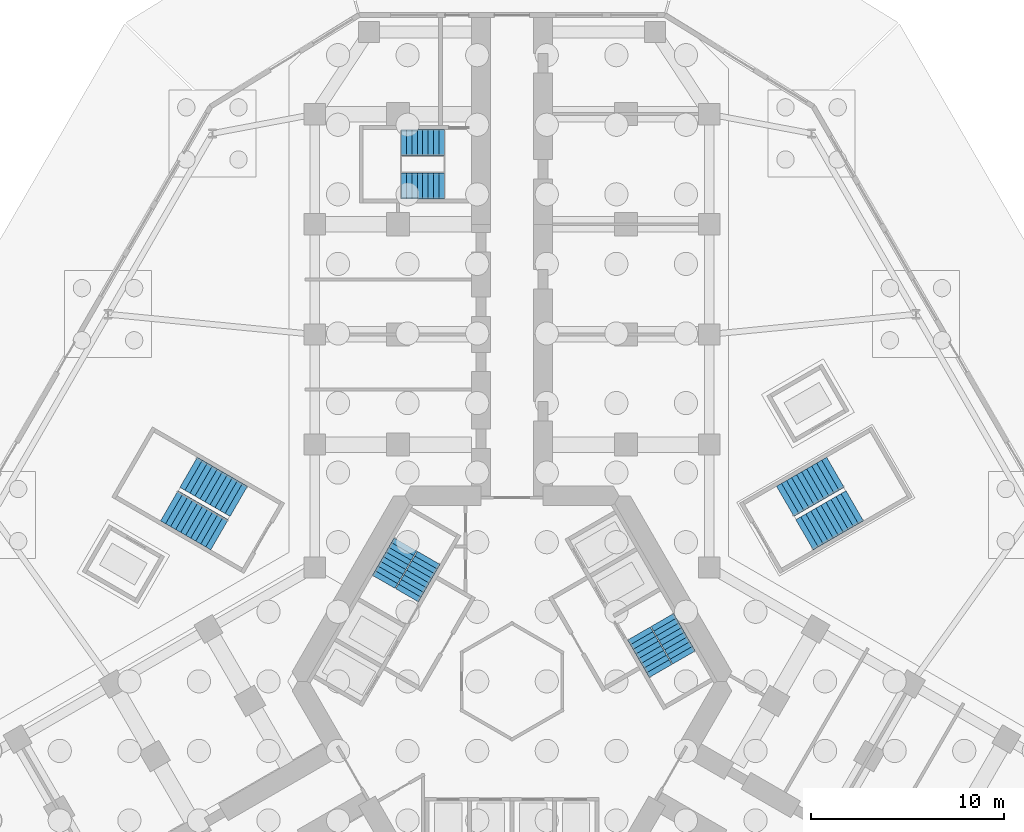
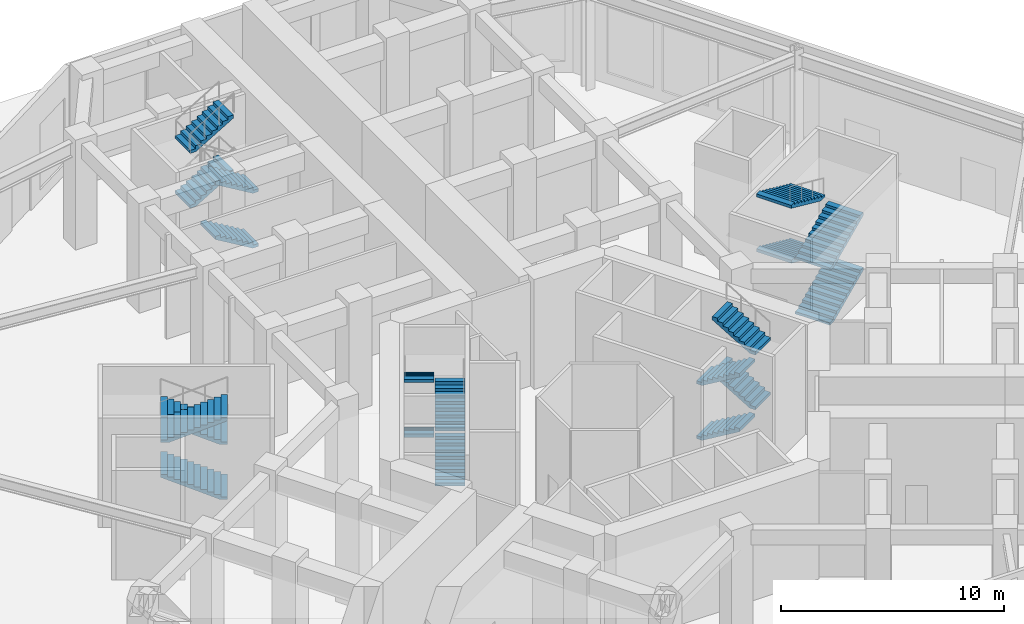
# One storey, part 12 of 16: 19 stair flights, 5 elements without a shape of their own.
"""IFC4 building model written with IfcOpenShell, lengths in metres."""

from ifc_helpers import new_model, si_unit, direction, frame, origin, place, context, subcontext, project, spatial, polyline, outline, extrude, material, type_object, element, aggregate, save


model = new_model("IFC4")

# Units and contexts
model_context = context("Model", 3, precision=1e-05, world=origin(), true_north=direction((0.0, 1.0)))
body_context = subcontext(model_context, "Body", "Model", "MODEL_VIEW")
ifc_project = project(units=[si_unit("LENGTHUNIT", "METRE"), si_unit("AREAUNIT", "SQUARE_METRE"), si_unit("VOLUMEUNIT", "CUBIC_METRE"), si_unit("PLANEANGLEUNIT", "RADIAN"), si_unit("MASSUNIT", "GRAM", prefix="KILO")], contexts=[model_context])

# Site, building, storey
site_placement = place(None, origin())
site = spatial("IfcSite", under=ifc_project, at=site_placement, CompositionType="ELEMENT")
building_placement = place(site_placement, origin())
building = spatial("IfcBuilding", under=site, at=building_placement, Name="Kosmar Iwan School Tower", CompositionType="ELEMENT")
storey_placement = place(building_placement, origin())
storey = spatial("IfcBuildingStorey", under=building, at=storey_placement, Name="L00", CompositionType="ELEMENT", Elevation=0.0)

# Stair, stair flights
ifc_material_1 = material(Name="Concrete C35/45", Category="concrete")
stair_type_1 = type_object("IfcStairType", Name="Escape stair 3600", PredefinedType="HALF_TURN_STAIR", material=ifc_material_1)
stair_1_placement = place(storey_placement, origin())
stair_1 = element("IfcStair", 1, at=stair_1_placement, inside=storey, type_object=stair_type_1, Name="Stair WS1 L00", PredefinedType="HALF_TURN_STAIR")
ifc_material_2 = material(Name="Concrete C35/45", Category="concrete")
stair_flight_type_1 = type_object("IfcStairFlightType", Name="Escape stair flight 1350", PredefinedType="STRAIGHT", material=ifc_material_2)
stair_flight_1_placement = place(storey_placement, frame((-3.5, 25.625, 0.0), z_axis=(0.0, 0.0, 1.0), x_axis=(-1.0, 0.0, 0.0)))
stair_flight_1 = element("IfcStairFlight", 2, at=stair_flight_1_placement, type_object=stair_flight_type_1, Name="WS1 flight 1", NumberOfRisers=9, NumberOfTreads=8, PredefinedType="STRAIGHT", RiserHeight=0.166666667, TreadLength=0.28, context=body_context, shape_type="SweptSolid", body=[
    extrude(outline(polyline([(0.0, 0.0), (0.0, 0.166748046875), (0.280029296875, 0.166748046875), (0.280029296875, 0.333251953125), (0.56005859375, 0.333251953125), (0.56005859375, 0.5), (0.840087890625, 0.5), (0.840087890625, 0.666748046875), (1.1201171875, 0.666748046875), (1.1201171875, 0.833251953125), (1.39990234375, 0.833251953125), (1.39990234375, 1.0), (1.679931640625, 1.0), (1.679931640625, 1.166748046875), (1.9599609375, 1.166748046875), (1.9599609375, 1.333251953125), (2.239990234375, 1.333251953125), (2.239990234375, 1.5), (2.239990234375, 1.158935546875), (0.29296875, 0.0), (0.0, 0.0)])), frame((0.0, 0.675048828125, 0.0), z_axis=(0.0, -1.0, 0.0), x_axis=(1.0, 0.0, 0.0)), (0.0, 0.0, 1.0), 1.35009765625),
])
stair_flight_2_placement = place(storey_placement, frame((-5.739990234375, 27.875, 1.5), z_axis=(0.0, 0.0, 1.0), x_axis=(1.0, 0.0, 0.0)))
stair_flight_2 = element("IfcStairFlight", 3, at=stair_flight_2_placement, type_object=stair_flight_type_1, Name="WS1 flight 2", NumberOfRisers=9, NumberOfTreads=8, PredefinedType="STRAIGHT", RiserHeight=0.166666667, TreadLength=0.28, context=body_context, shape_type="SweptSolid", body=[
    extrude(outline(polyline([(0.0, 0.0), (0.0, 0.166748046875), (0.280029296875, 0.166748046875), (0.280029296875, 0.333251953125), (0.56005859375, 0.333251953125), (0.56005859375, 0.5), (0.840087890625, 0.5), (0.840087890625, 0.666748046875), (1.1201171875, 0.666748046875), (1.1201171875, 0.833251953125), (1.39990234375, 0.833251953125), (1.39990234375, 1.0), (1.679931640625, 1.0), (1.679931640625, 1.166748046875), (1.9599609375, 1.166748046875), (1.9599609375, 1.333251953125), (2.239990234375, 1.333251953125), (2.239990234375, 1.5), (2.239990234375, 1.158935546875), (0.29296875, 0.0), (0.0, 0.0)])), frame((0.0, 0.675048828125, 0.0), z_axis=(0.0, -1.0, 0.0), x_axis=(1.0, 0.0, 0.0)), (0.0, 0.0, 1.0), 1.35009765625),
])
stair_flight_3_placement = place(storey_placement, frame((-3.5, 25.625, 3.0), z_axis=(0.0, 0.0, 1.0), x_axis=(-1.0, 0.0, 0.0)))
stair_flight_3 = element("IfcStairFlight", 4, at=stair_flight_3_placement, type_object=stair_flight_type_1, Name="WS1 flight 3", NumberOfRisers=9, NumberOfTreads=8, PredefinedType="STRAIGHT", RiserHeight=0.166666667, TreadLength=0.28, context=body_context, shape_type="SweptSolid", body=[
    extrude(outline(polyline([(0.0, 0.0), (0.0, 0.166748046875), (0.280029296875, 0.166748046875), (0.280029296875, 0.333251953125), (0.56005859375, 0.333251953125), (0.56005859375, 0.5), (0.840087890625, 0.5), (0.840087890625, 0.666748046875), (1.1201171875, 0.666748046875), (1.1201171875, 0.833251953125), (1.39990234375, 0.833251953125), (1.39990234375, 1.0), (1.679931640625, 1.0), (1.679931640625, 1.166748046875), (1.9599609375, 1.166748046875), (1.9599609375, 1.333251953125), (2.239990234375, 1.333251953125), (2.239990234375, 1.5), (2.239990234375, 1.158935546875), (0.29296875, 0.0), (0.0, 0.0)])), frame((0.0, 0.675048828125, 0.0), z_axis=(0.0, -1.0, 0.0), x_axis=(1.0, 0.0, 0.0)), (0.0, 0.0, 1.0), 1.35009765625),
])
stair_flight_4_placement = place(storey_placement, frame((-5.739990234375, 27.875, 4.5), z_axis=(0.0, 0.0, 1.0), x_axis=(1.0, 0.0, 0.0)))
stair_flight_4 = element("IfcStairFlight", 5, at=stair_flight_4_placement, type_object=stair_flight_type_1, Name="WS1 flight 4", NumberOfRisers=9, NumberOfTreads=8, PredefinedType="STRAIGHT", RiserHeight=0.166666667, TreadLength=0.28, context=body_context, shape_type="SweptSolid", body=[
    extrude(outline(polyline([(0.0, 0.0), (0.0, 0.166748046875), (0.280029296875, 0.166748046875), (0.280029296875, 0.333251953125), (0.56005859375, 0.333251953125), (0.56005859375, 0.5), (0.840087890625, 0.5), (0.840087890625, 0.666748046875), (1.1201171875, 0.666748046875), (1.1201171875, 0.833251953125), (1.39990234375, 0.833251953125), (1.39990234375, 1.0), (1.679931640625, 1.0), (1.679931640625, 1.166748046875), (1.9599609375, 1.166748046875), (1.9599609375, 1.333251953125), (2.239990234375, 1.333251953125), (2.239990234375, 1.5), (2.239990234375, 1.158935546875), (0.29296875, 0.0), (0.0, 0.0)])), frame((0.0, 0.675048828125, 0.0), z_axis=(0.0, -1.0, 0.0), x_axis=(1.0, 0.0, 0.0)), (0.0, 0.0, 1.0), 1.35009765625),
])
aggregate(stair_1, [stair_flight_1, stair_flight_2, stair_flight_3, stair_flight_4])

ifc_material_3 = material(Name="Concrete C35/45", Category="concrete")
stair_type_2 = type_object("IfcStairType", Name="School stair 3800", PredefinedType="HALF_TURN_STAIR", material=ifc_material_3)
stair_2_placement = place(storey_placement, origin())
stair_2 = element("IfcStair", 6, at=stair_2_placement, inside=storey, type_object=stair_type_2, Name="School stair SS3 L00", PredefinedType="HALF_TURN_STAIR")
ifc_material_4 = material(Name="Concrete C35/45", Category="concrete")
stair_flight_type_2 = type_object("IfcStairFlightType", Name="School stair flight 1800", PredefinedType="STRAIGHT", material=ifc_material_4)
stair_flight_5_placement = place(storey_placement, frame((15.1357421875, 7.583984375, 0.0), z_axis=(0.0, 0.0, 1.0), x_axis=(0.866025403784, 0.5, 0.0)))
stair_flight_5 = element("IfcStairFlight", 7, at=stair_flight_5_placement, type_object=stair_flight_type_2, Name="SS3 flight 1", NumberOfRisers=11, NumberOfTreads=10, PredefinedType="STRAIGHT", RiserHeight=0.136363636, TreadLength=0.3, context=body_context, shape_type="SweptSolid", body=[
    extrude(outline(polyline([(0.0, 0.0), (0.0, 0.136474609375), (0.300048828125, 0.136474609375), (0.300048828125, 0.272705078125), (0.60009765625, 0.272705078125), (0.60009765625, 0.4091796875), (0.89990234375, 0.4091796875), (0.89990234375, 0.54541015625), (1.199951171875, 0.54541015625), (1.199951171875, 0.681884765625), (1.5, 0.681884765625), (1.5, 0.818115234375), (1.800048828125, 0.818115234375), (1.800048828125, 0.95458984375), (2.10009765625, 0.95458984375), (2.10009765625, 1.0908203125), (2.39990234375, 1.0908203125), (2.39990234375, 1.227294921875), (2.699951171875, 1.227294921875), (2.699951171875, 1.363525390625), (3.0, 1.363525390625), (3.0, 1.5), (3.0, 1.198974609375), (0.3623046875, 0.0), (0.0, 0.0)])), frame((0.0, 0.89990234375, 0.0), z_axis=(0.0, -1.0, 0.0), x_axis=(1.0, 0.0, 0.0)), (0.0, 0.0, 1.0), 1.800048828125),
])
stair_flight_6_placement = place(storey_placement, frame((16.73388671875, 10.81591796875, 1.5), z_axis=(0.0, 0.0, 1.0), x_axis=(-0.866025403784, -0.5, 0.0)))
stair_flight_6 = element("IfcStairFlight", 8, at=stair_flight_6_placement, type_object=stair_flight_type_2, Name="SS3 flight 2", NumberOfRisers=11, NumberOfTreads=10, PredefinedType="STRAIGHT", RiserHeight=0.136363636, TreadLength=0.3, context=body_context, shape_type="SweptSolid", body=[
    extrude(outline(polyline([(0.0, 0.0), (0.0, 0.136474609375), (0.300048828125, 0.136474609375), (0.300048828125, 0.272705078125), (0.60009765625, 0.272705078125), (0.60009765625, 0.4091796875), (0.89990234375, 0.4091796875), (0.89990234375, 0.54541015625), (1.199951171875, 0.54541015625), (1.199951171875, 0.681884765625), (1.5, 0.681884765625), (1.5, 0.818115234375), (1.800048828125, 0.818115234375), (1.800048828125, 0.95458984375), (2.10009765625, 0.95458984375), (2.10009765625, 1.0908203125), (2.39990234375, 1.0908203125), (2.39990234375, 1.227294921875), (2.699951171875, 1.227294921875), (2.699951171875, 1.363525390625), (3.0, 1.363525390625), (3.0, 1.5), (3.0, 1.198974609375), (0.3623046875, 0.0), (0.0, 0.0)])), frame((0.0, 0.89990234375, 0.0), z_axis=(0.0, -1.0, 0.0), x_axis=(1.0, 0.0, 0.0)), (0.0, 0.0, 1.0), 1.800048828125),
])
stair_flight_7_placement = place(storey_placement, frame((15.1357421875, 7.583984375, 3.0), z_axis=(0.0, 0.0, 1.0), x_axis=(0.866025403784, 0.5, 0.0)))
stair_flight_7 = element("IfcStairFlight", 9, at=stair_flight_7_placement, type_object=stair_flight_type_2, Name="SS3 flight 3", NumberOfRisers=11, NumberOfTreads=10, PredefinedType="STRAIGHT", RiserHeight=0.136363636, TreadLength=0.3, context=body_context, shape_type="SweptSolid", body=[
    extrude(outline(polyline([(0.0, 0.0), (0.0, 0.136474609375), (0.300048828125, 0.136474609375), (0.300048828125, 0.272705078125), (0.60009765625, 0.272705078125), (0.60009765625, 0.4091796875), (0.89990234375, 0.4091796875), (0.89990234375, 0.54541015625), (1.199951171875, 0.54541015625), (1.199951171875, 0.681884765625), (1.5, 0.681884765625), (1.5, 0.818115234375), (1.800048828125, 0.818115234375), (1.800048828125, 0.95458984375), (2.10009765625, 0.95458984375), (2.10009765625, 1.0908203125), (2.39990234375, 1.0908203125), (2.39990234375, 1.227294921875), (2.699951171875, 1.227294921875), (2.699951171875, 1.363525390625), (3.0, 1.363525390625), (3.0, 1.5), (3.0, 1.198974609375), (0.3623046875, 0.0), (0.0, 0.0)])), frame((0.0, 0.89990234375, 0.0), z_axis=(0.0, -1.0, 0.0), x_axis=(1.0, 0.0, 0.0)), (0.0, 0.0, 1.0), 1.800048828125),
])
stair_flight_8_placement = place(storey_placement, frame((16.73388671875, 10.81591796875, 4.5), z_axis=(0.0, 0.0, 1.0), x_axis=(-0.866025403784, -0.5, 0.0)))
stair_flight_8 = element("IfcStairFlight", 10, at=stair_flight_8_placement, type_object=stair_flight_type_2, Name="SS3 flight 4", NumberOfRisers=11, NumberOfTreads=10, PredefinedType="STRAIGHT", RiserHeight=0.136363636, TreadLength=0.3, context=body_context, shape_type="SweptSolid", body=[
    extrude(outline(polyline([(0.0, 0.0), (0.0, 0.136474609375), (0.300048828125, 0.136474609375), (0.300048828125, 0.272705078125), (0.60009765625, 0.272705078125), (0.60009765625, 0.4091796875), (0.89990234375, 0.4091796875), (0.89990234375, 0.54541015625), (1.199951171875, 0.54541015625), (1.199951171875, 0.681884765625), (1.5, 0.681884765625), (1.5, 0.818115234375), (1.800048828125, 0.818115234375), (1.800048828125, 0.95458984375), (2.10009765625, 0.95458984375), (2.10009765625, 1.0908203125), (2.39990234375, 1.0908203125), (2.39990234375, 1.227294921875), (2.699951171875, 1.227294921875), (2.699951171875, 1.363525390625), (3.0, 1.363525390625), (3.0, 1.5), (3.0, 1.198974609375), (0.3623046875, 0.0), (0.0, 0.0)])), frame((0.0, 0.89990234375, 0.0), z_axis=(0.0, -1.0, 0.0), x_axis=(1.0, 0.0, 0.0)), (0.0, 0.0, 1.0), 1.800048828125),
])
aggregate(stair_2, [stair_flight_5, stair_flight_6, stair_flight_7, stair_flight_8])

stair_3_placement = place(storey_placement, origin())
stair_3 = element("IfcStair", 11, at=stair_3_placement, inside=storey, type_object=stair_type_2, Name="School stair SS4 L00", PredefinedType="HALF_TURN_STAIR")
stair_flight_9_placement = place(storey_placement, frame((-14.1357421875, 9.31591796875, 0.0), z_axis=(0.0, 0.0, 1.0), x_axis=(-0.866025403784, 0.5, 0.0)))
stair_flight_9 = element("IfcStairFlight", 12, at=stair_flight_9_placement, type_object=stair_flight_type_2, Name="SS4 flight 1", NumberOfRisers=11, NumberOfTreads=10, PredefinedType="STRAIGHT", RiserHeight=0.136363636, TreadLength=0.3, context=body_context, shape_type="SweptSolid", body=[
    extrude(outline(polyline([(0.0, 0.0), (0.0, 0.136474609375), (0.300048828125, 0.136474609375), (0.300048828125, 0.272705078125), (0.60009765625, 0.272705078125), (0.60009765625, 0.4091796875), (0.89990234375, 0.4091796875), (0.89990234375, 0.54541015625), (1.199951171875, 0.54541015625), (1.199951171875, 0.681884765625), (1.5, 0.681884765625), (1.5, 0.818115234375), (1.800048828125, 0.818115234375), (1.800048828125, 0.95458984375), (2.10009765625, 0.95458984375), (2.10009765625, 1.0908203125), (2.39990234375, 1.0908203125), (2.39990234375, 1.227294921875), (2.699951171875, 1.227294921875), (2.699951171875, 1.363525390625), (3.0, 1.363525390625), (3.0, 1.5), (3.0, 1.198974609375), (0.3623046875, 0.0), (0.0, 0.0)])), frame((0.0, 0.89990234375, 0.0), z_axis=(0.0, -1.0, 0.0), x_axis=(1.0, 0.0, 0.0)), (0.0, 0.0, 1.0), 1.800048828125),
])
stair_flight_10_placement = place(storey_placement, frame((-14.1357421875, 9.31591796875, 3.0), z_axis=(0.0, 0.0, 1.0), x_axis=(-0.866025403784, 0.5, 0.0)))
stair_flight_10 = element("IfcStairFlight", 13, at=stair_flight_10_placement, type_object=stair_flight_type_2, Name="SS4 flight 3", NumberOfRisers=11, NumberOfTreads=10, PredefinedType="STRAIGHT", RiserHeight=0.136363636, TreadLength=0.3, context=body_context, shape_type="SweptSolid", body=[
    extrude(outline(polyline([(0.0, 0.0), (0.0, 0.136474609375), (0.300048828125, 0.136474609375), (0.300048828125, 0.272705078125), (0.60009765625, 0.272705078125), (0.60009765625, 0.4091796875), (0.89990234375, 0.4091796875), (0.89990234375, 0.54541015625), (1.199951171875, 0.54541015625), (1.199951171875, 0.681884765625), (1.5, 0.681884765625), (1.5, 0.818115234375), (1.800048828125, 0.818115234375), (1.800048828125, 0.95458984375), (2.10009765625, 0.95458984375), (2.10009765625, 1.0908203125), (2.39990234375, 1.0908203125), (2.39990234375, 1.227294921875), (2.699951171875, 1.227294921875), (2.699951171875, 1.363525390625), (3.0, 1.363525390625), (3.0, 1.5), (3.0, 1.198974609375), (0.3623046875, 0.0), (0.0, 0.0)])), frame((0.0, 0.89990234375, 0.0), z_axis=(0.0, -1.0, 0.0), x_axis=(1.0, 0.0, 0.0)), (0.0, 0.0, 1.0), 1.800048828125),
])
stair_flight_11_placement = place(storey_placement, frame((-17.73388671875, 9.083984375, 4.5), z_axis=(0.0, 0.0, 1.0), x_axis=(0.866025403784, -0.5, 0.0)))
stair_flight_11 = element("IfcStairFlight", 14, at=stair_flight_11_placement, type_object=stair_flight_type_2, Name="SS4 flight 4", NumberOfRisers=11, NumberOfTreads=10, PredefinedType="STRAIGHT", RiserHeight=0.136363636, TreadLength=0.3, context=body_context, shape_type="SweptSolid", body=[
    extrude(outline(polyline([(0.0, 0.0), (0.0, 0.136474609375), (0.300048828125, 0.136474609375), (0.300048828125, 0.272705078125), (0.60009765625, 0.272705078125), (0.60009765625, 0.4091796875), (0.89990234375, 0.4091796875), (0.89990234375, 0.54541015625), (1.199951171875, 0.54541015625), (1.199951171875, 0.681884765625), (1.5, 0.681884765625), (1.5, 0.818115234375), (1.800048828125, 0.818115234375), (1.800048828125, 0.95458984375), (2.10009765625, 0.95458984375), (2.10009765625, 1.0908203125), (2.39990234375, 1.0908203125), (2.39990234375, 1.227294921875), (2.699951171875, 1.227294921875), (2.699951171875, 1.363525390625), (3.0, 1.363525390625), (3.0, 1.5), (3.0, 1.198974609375), (0.3623046875, 0.0), (0.0, 0.0)])), frame((0.0, 0.89990234375, 0.0), z_axis=(0.0, -1.0, 0.0), x_axis=(1.0, 0.0, 0.0)), (0.0, 0.0, 1.0), 1.800048828125),
])
aggregate(stair_3, [stair_flight_9, stair_flight_10, stair_flight_11])

ifc_material_5 = material(Name="Concrete C35/45", Category="concrete")
stair_type_3 = type_object("IfcStairType", Name="Core stair 2750", PredefinedType="HALF_TURN_STAIR", material=ifc_material_5)
stair_4_placement = place(storey_placement, origin())
stair_4 = element("IfcStair", 15, at=stair_4_placement, inside=storey, type_object=stair_type_3, Name="Stair ST2 L00", PredefinedType="HALF_TURN_STAIR")
ifc_material_6 = material(Name="Concrete C35/45", Category="concrete")
stair_flight_type_3 = type_object("IfcStairFlightType", Name="Stair flight 1350", PredefinedType="STRAIGHT", material=ifc_material_6)
stair_flight_12_placement = place(storey_placement, frame((-5.42724609375, 4.44970703125, 0.0), z_axis=(0.0, 0.0, 1.0), x_axis=(0.5, 0.866025403784, 0.0)))
stair_flight_12 = element("IfcStairFlight", 16, at=stair_flight_12_placement, type_object=stair_flight_type_3, Name="ST2 flight 1", NumberOfRisers=9, NumberOfTreads=8, PredefinedType="STRAIGHT", RiserHeight=0.166666667, TreadLength=0.28, context=body_context, shape_type="SweptSolid", body=[
    extrude(outline(polyline([(0.0, 0.0), (0.0, 0.166748046875), (0.280029296875, 0.166748046875), (0.280029296875, 0.333251953125), (0.56005859375, 0.333251953125), (0.56005859375, 0.5), (0.840087890625, 0.5), (0.840087890625, 0.666748046875), (1.1201171875, 0.666748046875), (1.1201171875, 0.833251953125), (1.39990234375, 0.833251953125), (1.39990234375, 1.0), (1.679931640625, 1.0), (1.679931640625, 1.166748046875), (1.9599609375, 1.166748046875), (1.9599609375, 1.333251953125), (2.239990234375, 1.333251953125), (2.239990234375, 1.5), (2.239990234375, 1.158935546875), (0.29296875, 0.0), (0.0, 0.0)])), frame((0.0, 0.675048828125, 0.0), z_axis=(0.0, -1.0, 0.0), x_axis=(1.0, 0.0, 0.0)), (0.0, 0.0, 1.0), 1.35009765625),
])
stair_flight_13_placement = place(storey_placement, frame((-5.519775390625, 7.089599609375, 1.5), z_axis=(0.0, 0.0, 1.0), x_axis=(-0.5, -0.866025403784, 0.0)))
stair_flight_13 = element("IfcStairFlight", 17, at=stair_flight_13_placement, type_object=stair_flight_type_3, Name="ST2 flight 2", NumberOfRisers=9, NumberOfTreads=8, PredefinedType="STRAIGHT", RiserHeight=0.166666667, TreadLength=0.28, context=body_context, shape_type="SweptSolid", body=[
    extrude(outline(polyline([(0.0, 0.0), (0.0, 0.166748046875), (0.280029296875, 0.166748046875), (0.280029296875, 0.333251953125), (0.56005859375, 0.333251953125), (0.56005859375, 0.5), (0.840087890625, 0.5), (0.840087890625, 0.666748046875), (1.1201171875, 0.666748046875), (1.1201171875, 0.833251953125), (1.39990234375, 0.833251953125), (1.39990234375, 1.0), (1.679931640625, 1.0), (1.679931640625, 1.166748046875), (1.9599609375, 1.166748046875), (1.9599609375, 1.333251953125), (2.239990234375, 1.333251953125), (2.239990234375, 1.5), (2.239990234375, 1.158935546875), (0.29296875, 0.0), (0.0, 0.0)])), frame((0.0, 0.675048828125, 0.0), z_axis=(0.0, -1.0, 0.0), x_axis=(1.0, 0.0, 0.0)), (0.0, 0.0, 1.0), 1.35009765625),
])
stair_flight_14_placement = place(storey_placement, frame((-5.42724609375, 4.44970703125, 3.0), z_axis=(0.0, 0.0, 1.0), x_axis=(0.5, 0.866025403784, 0.0)))
stair_flight_14 = element("IfcStairFlight", 18, at=stair_flight_14_placement, type_object=stair_flight_type_3, Name="ST2 flight 3", NumberOfRisers=9, NumberOfTreads=8, PredefinedType="STRAIGHT", RiserHeight=0.166666667, TreadLength=0.28, context=body_context, shape_type="SweptSolid", body=[
    extrude(outline(polyline([(0.0, 0.0), (0.0, 0.166748046875), (0.280029296875, 0.166748046875), (0.280029296875, 0.333251953125), (0.56005859375, 0.333251953125), (0.56005859375, 0.5), (0.840087890625, 0.5), (0.840087890625, 0.666748046875), (1.1201171875, 0.666748046875), (1.1201171875, 0.833251953125), (1.39990234375, 0.833251953125), (1.39990234375, 1.0), (1.679931640625, 1.0), (1.679931640625, 1.166748046875), (1.9599609375, 1.166748046875), (1.9599609375, 1.333251953125), (2.239990234375, 1.333251953125), (2.239990234375, 1.5), (2.239990234375, 1.158935546875), (0.29296875, 0.0), (0.0, 0.0)])), frame((0.0, 0.675048828125, 0.0), z_axis=(0.0, -1.0, 0.0), x_axis=(1.0, 0.0, 0.0)), (0.0, 0.0, 1.0), 1.35009765625),
])
stair_flight_15_placement = place(storey_placement, frame((-5.519775390625, 7.089599609375, 4.5), z_axis=(0.0, 0.0, 1.0), x_axis=(-0.5, -0.866025403784, 0.0)))
stair_flight_15 = element("IfcStairFlight", 19, at=stair_flight_15_placement, type_object=stair_flight_type_3, Name="ST2 flight 4", NumberOfRisers=9, NumberOfTreads=8, PredefinedType="STRAIGHT", RiserHeight=0.166666667, TreadLength=0.28, context=body_context, shape_type="SweptSolid", body=[
    extrude(outline(polyline([(0.0, 0.0), (0.0, 0.166748046875), (0.280029296875, 0.166748046875), (0.280029296875, 0.333251953125), (0.56005859375, 0.333251953125), (0.56005859375, 0.5), (0.840087890625, 0.5), (0.840087890625, 0.666748046875), (1.1201171875, 0.666748046875), (1.1201171875, 0.833251953125), (1.39990234375, 0.833251953125), (1.39990234375, 1.0), (1.679931640625, 1.0), (1.679931640625, 1.166748046875), (1.9599609375, 1.166748046875), (1.9599609375, 1.333251953125), (2.239990234375, 1.333251953125), (2.239990234375, 1.5), (2.239990234375, 1.158935546875), (0.29296875, 0.0), (0.0, 0.0)])), frame((0.0, 0.675048828125, 0.0), z_axis=(0.0, -1.0, 0.0), x_axis=(1.0, 0.0, 0.0)), (0.0, 0.0, 1.0), 1.35009765625),
])
aggregate(stair_4, [stair_flight_12, stair_flight_13, stair_flight_14, stair_flight_15])

stair_5_placement = place(storey_placement, origin())
stair_5 = element("IfcStair", 20, at=stair_5_placement, inside=storey, type_object=stair_type_3, Name="Stair ST1 L00", PredefinedType="HALF_TURN_STAIR")
stair_flight_16_placement = place(storey_placement, frame((6.567138671875, 2.475341796875, 0.0), z_axis=(0.0, 0.0, 1.0), x_axis=(0.5, -0.866025403784, 0.0)))
stair_flight_16 = element("IfcStairFlight", 21, at=stair_flight_16_placement, type_object=stair_flight_type_3, Name="ST1 flight 1", NumberOfRisers=9, NumberOfTreads=8, PredefinedType="STRAIGHT", RiserHeight=0.166666667, TreadLength=0.28, context=body_context, shape_type="SweptSolid", body=[
    extrude(outline(polyline([(0.0, 0.0), (0.0, 0.166748046875), (0.280029296875, 0.166748046875), (0.280029296875, 0.333251953125), (0.56005859375, 0.333251953125), (0.56005859375, 0.5), (0.840087890625, 0.5), (0.840087890625, 0.666748046875), (1.1201171875, 0.666748046875), (1.1201171875, 0.833251953125), (1.39990234375, 0.833251953125), (1.39990234375, 1.0), (1.679931640625, 1.0), (1.679931640625, 1.166748046875), (1.9599609375, 1.166748046875), (1.9599609375, 1.333251953125), (2.239990234375, 1.333251953125), (2.239990234375, 1.5), (2.239990234375, 1.158935546875), (0.29296875, 0.0), (0.0, 0.0)])), frame((0.0, 0.675048828125, 0.0), z_axis=(0.0, -1.0, 0.0), x_axis=(1.0, 0.0, 0.0)), (0.0, 0.0, 1.0), 1.35009765625),
])
stair_flight_17_placement = place(storey_placement, frame((8.899658203125, 1.2353515625, 1.5), z_axis=(0.0, 0.0, 1.0), x_axis=(-0.5, 0.866025403784, 0.0)))
stair_flight_17 = element("IfcStairFlight", 22, at=stair_flight_17_placement, type_object=stair_flight_type_3, Name="ST1 flight 2", NumberOfRisers=9, NumberOfTreads=8, PredefinedType="STRAIGHT", RiserHeight=0.166666667, TreadLength=0.28, context=body_context, shape_type="SweptSolid", body=[
    extrude(outline(polyline([(0.0, 0.0), (0.0, 0.166748046875), (0.280029296875, 0.166748046875), (0.280029296875, 0.333251953125), (0.56005859375, 0.333251953125), (0.56005859375, 0.5), (0.840087890625, 0.5), (0.840087890625, 0.666748046875), (1.1201171875, 0.666748046875), (1.1201171875, 0.833251953125), (1.39990234375, 0.833251953125), (1.39990234375, 1.0), (1.679931640625, 1.0), (1.679931640625, 1.166748046875), (1.9599609375, 1.166748046875), (1.9599609375, 1.333251953125), (2.239990234375, 1.333251953125), (2.239990234375, 1.5), (2.239990234375, 1.158935546875), (0.29296875, 0.0), (0.0, 0.0)])), frame((0.0, 0.675048828125, 0.0), z_axis=(0.0, -1.0, 0.0), x_axis=(1.0, 0.0, 0.0)), (0.0, 0.0, 1.0), 1.35009765625),
])
stair_flight_18_placement = place(storey_placement, frame((6.567138671875, 2.475341796875, 3.0), z_axis=(0.0, 0.0, 1.0), x_axis=(0.5, -0.866025403784, 0.0)))
stair_flight_18 = element("IfcStairFlight", 23, at=stair_flight_18_placement, type_object=stair_flight_type_3, Name="ST1 flight 3", NumberOfRisers=9, NumberOfTreads=8, PredefinedType="STRAIGHT", RiserHeight=0.166666667, TreadLength=0.28, context=body_context, shape_type="SweptSolid", body=[
    extrude(outline(polyline([(0.0, 0.0), (0.0, 0.166748046875), (0.280029296875, 0.166748046875), (0.280029296875, 0.333251953125), (0.56005859375, 0.333251953125), (0.56005859375, 0.5), (0.840087890625, 0.5), (0.840087890625, 0.666748046875), (1.1201171875, 0.666748046875), (1.1201171875, 0.833251953125), (1.39990234375, 0.833251953125), (1.39990234375, 1.0), (1.679931640625, 1.0), (1.679931640625, 1.166748046875), (1.9599609375, 1.166748046875), (1.9599609375, 1.333251953125), (2.239990234375, 1.333251953125), (2.239990234375, 1.5), (2.239990234375, 1.158935546875), (0.29296875, 0.0), (0.0, 0.0)])), frame((0.0, 0.675048828125, 0.0), z_axis=(0.0, -1.0, 0.0), x_axis=(1.0, 0.0, 0.0)), (0.0, 0.0, 1.0), 1.35009765625),
])
stair_flight_19_placement = place(storey_placement, frame((8.899658203125, 1.2353515625, 4.5), z_axis=(0.0, 0.0, 1.0), x_axis=(-0.5, 0.866025403784, 0.0)))
stair_flight_19 = element("IfcStairFlight", 24, at=stair_flight_19_placement, type_object=stair_flight_type_3, Name="ST1 flight 4", NumberOfRisers=9, NumberOfTreads=8, PredefinedType="STRAIGHT", RiserHeight=0.166666667, TreadLength=0.28, context=body_context, shape_type="SweptSolid", body=[
    extrude(outline(polyline([(0.0, 0.0), (0.0, 0.166748046875), (0.280029296875, 0.166748046875), (0.280029296875, 0.333251953125), (0.56005859375, 0.333251953125), (0.56005859375, 0.5), (0.840087890625, 0.5), (0.840087890625, 0.666748046875), (1.1201171875, 0.666748046875), (1.1201171875, 0.833251953125), (1.39990234375, 0.833251953125), (1.39990234375, 1.0), (1.679931640625, 1.0), (1.679931640625, 1.166748046875), (1.9599609375, 1.166748046875), (1.9599609375, 1.333251953125), (2.239990234375, 1.333251953125), (2.239990234375, 1.5), (2.239990234375, 1.158935546875), (0.29296875, 0.0), (0.0, 0.0)])), frame((0.0, 0.675048828125, 0.0), z_axis=(0.0, -1.0, 0.0), x_axis=(1.0, 0.0, 0.0)), (0.0, 0.0, 1.0), 1.35009765625),
])
aggregate(stair_5, [stair_flight_16, stair_flight_17, stair_flight_18, stair_flight_19])

save(model, "model.ifc")
